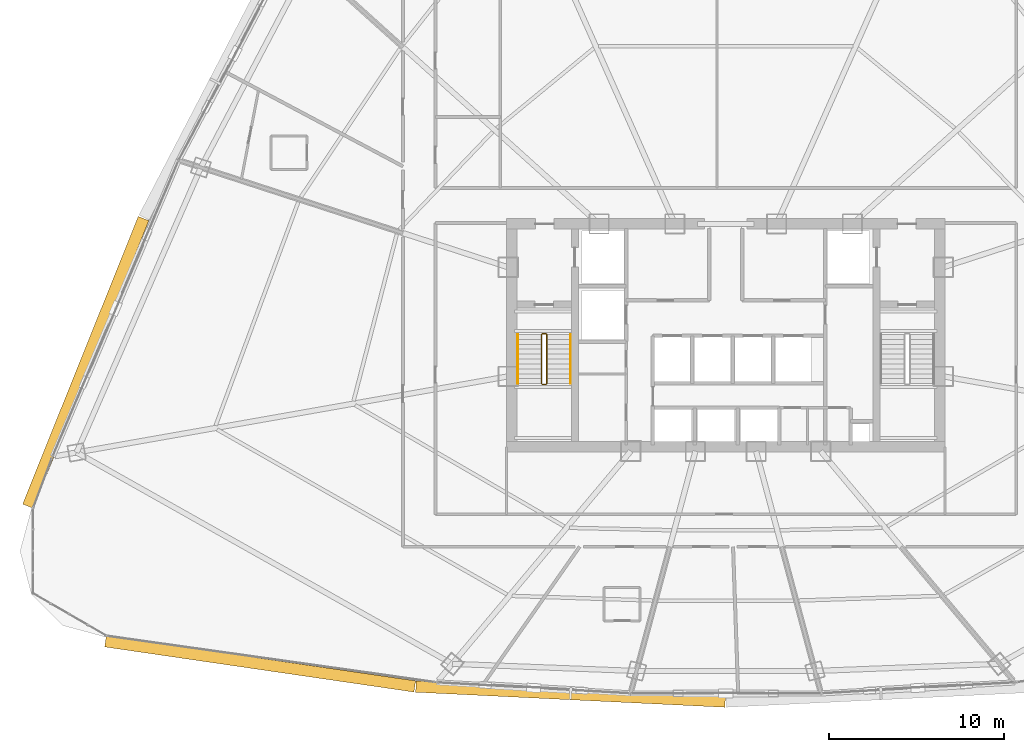
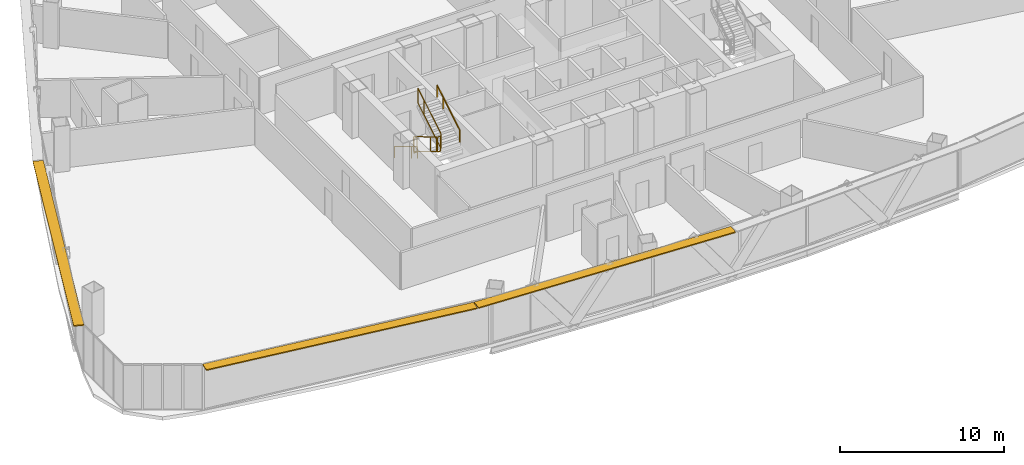
# One storey, part 39 of 42: 6 railings, 3 shading devices.
"""IFC4 building model written with IfcOpenShell, lengths in metres."""

from ifc_helpers import new_model, si_unit, direction, frame, origin, origin_2d, place, context, subcontext, project, spatial, rectangle, extrude, source, transform, mapped, material, layer, layer_set, type_object, element, save


model = new_model("IFC4")

# Units and contexts
model_context = context("Model", 3, precision=1e-05, world=origin(), true_north=direction((0.0, 1.0)))
body_context = subcontext(model_context, "Body", "Model", "MODEL_VIEW")
ifc_project = project(units=[si_unit("LENGTHUNIT", "METRE"), si_unit("AREAUNIT", "SQUARE_METRE"), si_unit("VOLUMEUNIT", "CUBIC_METRE"), si_unit("PLANEANGLEUNIT", "RADIAN"), si_unit("MASSUNIT", "GRAM", prefix="KILO"), si_unit("THERMODYNAMICTEMPERATUREUNIT", "KELVIN"), si_unit("POWERUNIT", "WATT")], contexts=[model_context])

# Site, building, storey
site_placement = place(None, origin())
site = spatial("IfcSite", under=ifc_project, at=site_placement, CompositionType="ELEMENT")
building_placement = place(site_placement, origin())
building = spatial("IfcBuilding", under=site, at=building_placement, Name="Yunzhuo Pagoda Commons", CompositionType="ELEMENT")
storey_placement = place(building_placement, frame((0.0, 0.0, 151.909912109375)))
storey = spatial("IfcBuildingStorey", under=building, at=storey_placement, Name="L38", CompositionType="ELEMENT", Elevation=151.909912109375)

# Railings
ifc_material = material(Name="Anodized aluminium 6063-T6", Category="aluminium")
railing_type_1 = type_object("IfcRailingType", Name="GR-ST1 Stair Well Guardrail 1150", PredefinedType="GUARDRAIL", material=ifc_material)
railing_1_placement = place(storey_placement, frame((37.5, 33.89990234375, 0.16748046875)))
element("IfcRailing", 1, at=railing_1_placement, inside=storey, type_object=railing_type_1, Name="L38 ST1 stair guard 1", PredefinedType="GUARDRAIL", context=body_context, shape_type="SweptSolid", body=[
    extrude(rectangle(XDim=0.048095703125, YDim=0.048095703125, at=origin_2d()), frame((0.0, 0.0, 1.1259765625), z_axis=(0.0, -0.858475523978, 0.512854535645), x_axis=(1.0, 0.0, 0.0)), (0.0, 0.0, 1.0), 3.261474609375),
    extrude(rectangle(XDim=0.048095703125, YDim=0.048095703125, at=origin_2d()), frame((0.0, 0.0, 0.02392578125), z_axis=(0.0, -0.858475523978, 0.512854535645), x_axis=(1.0, 0.0, 0.0)), (0.0, 0.0, 1.0), 3.261474609375),
    extrude(rectangle(XDim=0.0419921875, YDim=0.0419921875, at=origin_2d()), origin(), (0.0, 0.0, 1.0), 1.101806640625),
    extrude(rectangle(XDim=0.0419921875, YDim=0.0419921875, at=origin_2d()), frame((0.0, -2.060302734375, 1.23095703125)), (0.0, 0.0, 1.0), 1.101806640625),
    extrude(rectangle(XDim=0.0419921875, YDim=0.0419921875, at=origin_2d()), frame((0.0, -2.7998046875, 1.672607421875)), (0.0, 0.0, 1.0), 1.101806640625),
])
railing_2_placement = place(storey_placement, frame((37.550048828125, 31.050048828125, 1.840087890625)))
element("IfcRailing", 2, at=railing_2_placement, inside=storey, type_object=railing_type_1, Name="L38 ST1 stair guard 2", PredefinedType="GUARDRAIL", context=body_context, shape_type="SweptSolid", body=[
    extrude(rectangle(XDim=0.048095703125, YDim=0.048095703125, at=origin_2d()), frame((0.0, 0.0, 1.1259765625), z_axis=(1.0, 0.0, 0.0), x_axis=(0.0, 1.0, 0.0)), (0.0, 0.0, 1.0), 0.199951171875),
    extrude(rectangle(XDim=0.048095703125, YDim=0.048095703125, at=origin_2d()), frame((0.0, 0.0, 0.02392578125), z_axis=(1.0, 0.0, 0.0), x_axis=(0.0, 1.0, 0.0)), (0.0, 0.0, 1.0), 0.199951171875),
    extrude(rectangle(XDim=0.0419921875, YDim=0.0419921875, at=origin_2d()), origin(), (0.0, 0.0, 1.0), 1.101806640625),
    extrude(rectangle(XDim=0.0419921875, YDim=0.0419921875, at=origin_2d()), frame((0.199951171875, 0.0, 0.0)), (0.0, 0.0, 1.0), 1.101806640625),
])
railing_3_placement = place(storey_placement, frame((37.800048828125, 31.10009765625, 2.00732421875)))
element("IfcRailing", 3, at=railing_3_placement, inside=storey, type_object=railing_type_1, Name="L38 ST1 stair guard 3", PredefinedType="GUARDRAIL", context=body_context, shape_type="SweptSolid", body=[
    extrude(rectangle(XDim=0.048095703125, YDim=0.048095703125, at=origin_2d()), frame((0.0, 0.0, 1.1259765625), z_axis=(0.0, 0.858442565357, 0.512909701589), x_axis=(-1.0, 0.0, 0.0)), (0.0, 0.0, 1.0), 3.261474609375),
    extrude(rectangle(XDim=0.048095703125, YDim=0.048095703125, at=origin_2d()), frame((0.0, 0.0, 0.02392578125), z_axis=(0.0, 0.858442565357, 0.512909701589), x_axis=(-1.0, 0.0, 0.0)), (0.0, 0.0, 1.0), 3.261474609375),
    extrude(rectangle(XDim=0.0419921875, YDim=0.0419921875, at=origin_2d()), origin(), (0.0, 0.0, 1.0), 1.101806640625),
    extrude(rectangle(XDim=0.0419921875, YDim=0.0419921875, at=origin_2d()), frame((0.0, 2.060302734375, 1.23095703125)), (0.0, 0.0, 1.0), 1.101806640625),
    extrude(rectangle(XDim=0.0419921875, YDim=0.0419921875, at=origin_2d()), frame((0.0, 2.7998046875, 1.6728515625)), (0.0, 0.0, 1.0), 1.101806640625),
])
railing_4_placement = place(storey_placement, frame((37.550048828125, 33.949951171875, 0.0)))
element("IfcRailing", 4, at=railing_4_placement, inside=storey, type_object=railing_type_1, Name="L38 ST1 stair guard 4", PredefinedType="GUARDRAIL", context=body_context, shape_type="SweptSolid", body=[
    extrude(rectangle(XDim=0.048095703125, YDim=0.048095703125, at=origin_2d()), frame((0.0, 0.0, 1.1259765625), z_axis=(1.0, 0.0, 0.0), x_axis=(0.0, 1.0, 0.0)), (0.0, 0.0, 1.0), 0.199951171875),
    extrude(rectangle(XDim=0.048095703125, YDim=0.048095703125, at=origin_2d()), frame((0.0, 0.0, 0.02392578125), z_axis=(1.0, 0.0, 0.0), x_axis=(0.0, 1.0, 0.0)), (0.0, 0.0, 1.0), 0.199951171875),
    extrude(rectangle(XDim=0.0419921875, YDim=0.0419921875, at=origin_2d()), origin(), (0.0, 0.0, 1.0), 1.101806640625),
    extrude(rectangle(XDim=0.0419921875, YDim=0.0419921875, at=origin_2d()), frame((0.199951171875, 0.0, 0.0)), (0.0, 0.0, 1.0), 1.101806640625),
])
railing_type_2 = type_object("IfcRailingType", Name="HR-ST1 Stair Handrail 900", PredefinedType="HANDRAIL", material=ifc_material)
railing_5_placement = place(storey_placement, frame((36.14990234375, 33.89990234375, 0.16748046875)))
element("IfcRailing", 5, at=railing_5_placement, inside=storey, type_object=railing_type_2, Name="L38 ST1 stair handrail 1", PredefinedType="HANDRAIL", context=body_context, shape_type="SweptSolid", body=[
    extrude(rectangle(XDim=0.048095703125, YDim=0.048095703125, at=origin_2d()), frame((0.0, 0.0, 0.8759765625), z_axis=(0.0, -0.858475523978, 0.512854535645), x_axis=(1.0, 0.0, 0.0)), (0.0, 0.0, 1.0), 3.261474609375),
    extrude(rectangle(XDim=0.0419921875, YDim=0.0419921875, at=origin_2d()), origin(), (0.0, 0.0, 1.0), 0.851806640625),
    extrude(rectangle(XDim=0.0419921875, YDim=0.0419921875, at=origin_2d()), frame((0.0, -2.060302734375, 1.23095703125)), (0.0, 0.0, 1.0), 0.851806640625),
    extrude(rectangle(XDim=0.0419921875, YDim=0.0419921875, at=origin_2d()), frame((0.0, -2.7998046875, 1.672607421875)), (0.0, 0.0, 1.0), 0.851806640625),
])
railing_6_placement = place(storey_placement, frame((39.14990234375, 31.10009765625, 2.00732421875)))
element("IfcRailing", 6, at=railing_6_placement, inside=storey, type_object=railing_type_2, Name="L38 ST1 stair handrail 2", PredefinedType="HANDRAIL", context=body_context, shape_type="SweptSolid", body=[
    extrude(rectangle(XDim=0.048095703125, YDim=0.048095703125, at=origin_2d()), frame((0.0, 0.0, 0.8759765625), z_axis=(0.0, 0.858442565357, 0.512909701589), x_axis=(-1.0, 0.0, 0.0)), (0.0, 0.0, 1.0), 3.261474609375),
    extrude(rectangle(XDim=0.0419921875, YDim=0.0419921875, at=origin_2d()), origin(), (0.0, 0.0, 1.0), 0.851806640625),
    extrude(rectangle(XDim=0.0419921875, YDim=0.0419921875, at=origin_2d()), frame((0.0, 2.060302734375, 1.23095703125)), (0.0, 0.0, 1.0), 0.851806640625),
    extrude(rectangle(XDim=0.0419921875, YDim=0.0419921875, at=origin_2d()), frame((0.0, 2.7998046875, 1.6728515625)), (0.0, 0.0, 1.0), 0.851806640625),
])

# Shading devices
ifc_layer = layer(ifc_material, 0.080078125)
ifc_layer_set = layer_set([ifc_layer], Name="Anodized aluminium 6063-T6")
shading_device_type = type_object("IfcShadingDeviceType", Name="SH-SUN1 Pagoda Horizontal Sunshade Eave 650", PredefinedType="USERDEFINED", material=ifc_layer_set)
shared_shape_1 = source(origin(), body_context, "Body", "SweptSolid", [
    extrude(rectangle(XDim=17.81640625, YDim=0.64990234375, at=origin_2d()), origin(), (0.0, 0.0, 1.0), 0.080078125),
])
shading_device_1_placement = place(storey_placement, frame((21.461669921875, 15.126708984375, 3.340087890625), z_axis=(0.0, 0.0, 1.0), x_axis=(0.989510666697, -0.144459823108, 0.0)))
element("IfcShadingDevice", 7, at=shading_device_1_placement, inside=storey, type_object=shading_device_type, Name="L38 horizontal pagoda sunshade eave F1.1", ObjectType="SUNSHADE", PredefinedType="USERDEFINED", context=body_context, shape_type="MappedRepresentation", body=[
    mapped(shared_shape_1, transform((0.0, 0.0, 0.0), scale=1.0)),
])
shared_shape_2 = source(origin(), body_context, "Body", "SweptSolid", [
    extrude(rectangle(XDim=17.64990234375, YDim=0.64990234375, at=origin_2d()), origin(), (0.0, 0.0, 1.0), 0.080078125),
])
shading_device_2_placement = place(storey_placement, frame((39.15380859375, 13.40478515625, 3.340087890625), z_axis=(0.0, 0.0, 1.0), x_axis=(0.998818043775, -0.04860571396, 0.0)))
element("IfcShadingDevice", 8, at=shading_device_2_placement, inside=storey, type_object=shading_device_type, Name="L38 horizontal pagoda sunshade eave F1.2", ObjectType="SUNSHADE", PredefinedType="USERDEFINED", context=body_context, shape_type="MappedRepresentation", body=[
    mapped(shared_shape_2, transform((0.0, 0.0, 0.0), scale=1.0)),
])
shared_shape_3 = source(origin(), body_context, "Body", "SweptSolid", [
    extrude(rectangle(XDim=17.673095703125, YDim=0.64990234375, at=origin_2d()), origin(), (0.0, 0.0, 1.0), 0.080078125),
])
shading_device_3_placement = place(storey_placement, frame((11.521728515625, 32.31201171875, 3.340087890625), z_axis=(0.0, 0.0, 1.0), x_axis=(-0.372987782576, -0.927836253899, 0.0)))
element("IfcShadingDevice", 9, at=shading_device_3_placement, inside=storey, type_object=shading_device_type, Name="L38 horizontal pagoda sunshade eave F3.4", ObjectType="SUNSHADE", PredefinedType="USERDEFINED", context=body_context, shape_type="MappedRepresentation", body=[
    mapped(shared_shape_3, transform((0.0, 0.0, 0.0), scale=1.0)),
])

save(model, "model.ifc")
